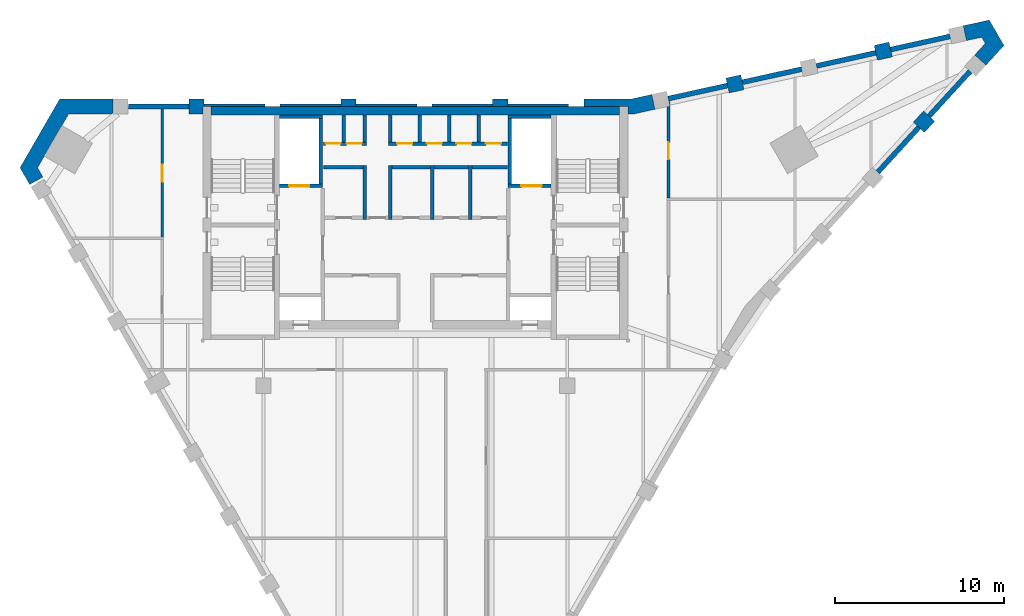
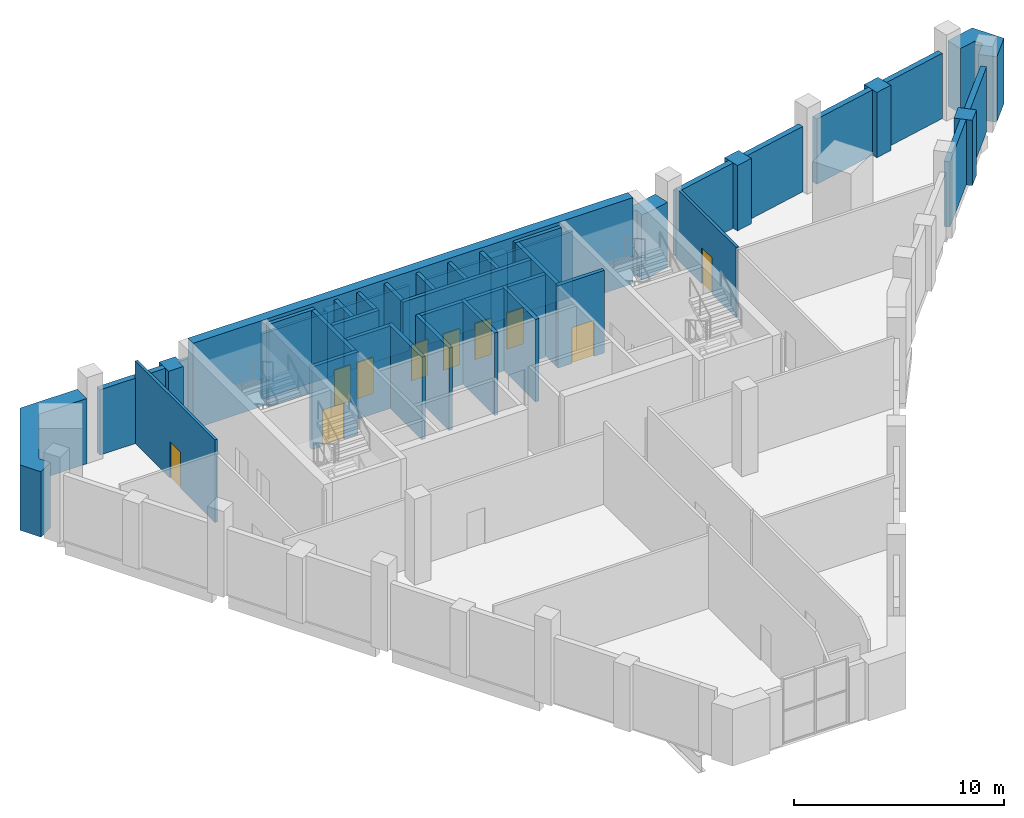
# One storey, part 6 of 9: 46 walls, 10 doors, 10 openings.
"""IFC4 building model written with IfcOpenShell, lengths in metres."""

from ifc_helpers import new_model, si_unit, direction, frame, frame_2d, origin, place, context, subcontext, project, spatial, polyline, rectangle, outline, extrude, material, layer, layer_set, type_object, element, fill, save


model = new_model("IFC4")

# Units and contexts
model_context = context("Model", 3, precision=1e-05, world=origin(), true_north=direction((0.0, 1.0)))
body_context = subcontext(model_context, "Body", "Model", "MODEL_VIEW")
ifc_project = project(units=[si_unit("LENGTHUNIT", "METRE"), si_unit("AREAUNIT", "SQUARE_METRE"), si_unit("VOLUMEUNIT", "CUBIC_METRE"), si_unit("PLANEANGLEUNIT", "RADIAN"), si_unit("MASSUNIT", "GRAM", prefix="KILO")], contexts=[model_context])

# Site, building, storey
site_placement = place(None, origin())
site = spatial("IfcSite", under=ifc_project, at=site_placement, CompositionType="ELEMENT")
building_placement = place(site_placement, origin())
building = spatial("IfcBuilding", under=site, at=building_placement, Name="Calabash Gate Tower", CompositionType="ELEMENT")
storey_placement = place(building_placement, frame((0.0, 0.0, 315.5)))
storey = spatial("IfcBuildingStorey", under=building, at=storey_placement, Name="L74", CompositionType="ELEMENT", Elevation=315.5)

# Walls
ifc_material_1 = material(Name="Terracotta brick masonry, exposed face", Category="masonry")
ifc_layer_1 = layer(ifc_material_1, 0.89990234375)
ifc_layer_set_1 = layer_set([ifc_layer_1], Name="Brick end wall 900")
wall_type_1 = type_object("IfcWallType", Name="Brick end wall 900", PredefinedType="SOLIDWALL", material=ifc_layer_set_1)
wall_1_placement = place(storey_placement, frame((30.44482421875, 18.47900390625, 0.0), z_axis=(0.0, 0.0, 1.0), x_axis=(-0.674938051731, -0.737874397391, 0.0)))
element("IfcWall", 1, at=wall_1_placement, inside=storey, type_object=wall_type_1, Name="Brick pier L74 crown3.3", PredefinedType="SOLIDWALL", context=body_context, shape_type="SweptSolid", body=[
    extrude(rectangle(XDim=0.89990234375, YDim=0.89990234375, at=frame_2d((0.449951171875, 0.0))), origin(), (0.0, 0.0, 1.0), 3.800048828125),
])
for number, where, z_axis, x_axis, name in (
    (2, (28.16650390625, 22.42529296875, 0.0), (0.0, 0.0, 1.0), (-0.976473402733, -0.215637876437, 0.0), "Brick pier L74 crown5.1"),
    (3, (18.4990234375, 20.2919921875, 0.0), (0.0, 0.0, 1.0), (0.976473402733, 0.215637876437, 0.0), "Brick pier L74 crown5.3"),
):
    element("IfcWall", number, at=place(storey_placement, frame(where, z_axis=z_axis, x_axis=x_axis)), inside=storey, type_object=wall_type_1, Name=name, PredefinedType="SOLIDWALL", context=body_context, shape_type="SweptSolid", body=[
        extrude(rectangle(XDim=0.900146484375, YDim=0.89990234375, at=frame_2d((0.4501953125, 0.0))), origin(), (0.0, 0.0, 1.0), 3.800048828125),
    ])
wall_2_placement = place(storey_placement, origin())
element("IfcWall", 4, at=wall_2_placement, inside=storey, type_object=wall_type_1, Name="Brick pier L74 crown6.1", PredefinedType="SOLIDWALL", context=body_context, shape_type="SweptSolid", body=[
    extrude(outline(polyline([(4.584228515625, 19.50244140625), (4.584228515625, 19.052490234375), (5.484375, 19.052490234375), (5.484375, 19.50244140625), (4.584228515625, 19.50244140625)])), origin(), (0.0, 0.0, 1.0), 3.800048828125),
])
wall_3_placement = place(storey_placement, origin())
element("IfcWall", 5, at=wall_3_placement, inside=storey, type_object=wall_type_1, Name="Brick pier L74 crown6.3", PredefinedType="SOLIDWALL", context=body_context, shape_type="SweptSolid", body=[
    extrude(outline(polyline([(-4.415771484375, 19.50244140625), (-4.415771484375, 19.052490234375), (-3.515625, 19.052490234375), (-3.515625, 19.50244140625), (-4.415771484375, 19.50244140625)])), origin(), (0.0, 0.0, 1.0), 3.800048828125),
])
wall_4_placement = place(storey_placement, origin())
element("IfcWall", 6, at=wall_4_placement, inside=storey, type_object=wall_type_1, Name="Brick pier L74 crown6.5", PredefinedType="SOLIDWALL", context=body_context, shape_type="SweptSolid", body=[
    extrude(outline(polyline([(-13.415771484375, 19.50244140625), (-13.415771484375, 18.6025390625), (-12.60009765625, 18.6025390625), (-12.60009765625, 19.052490234375), (-12.515625, 19.052490234375), (-12.515625, 19.50244140625), (-13.415771484375, 19.50244140625)])), origin(), (0.0, 0.0, 1.0), 3.800048828125),
])
wall_5_placement = place(storey_placement, origin())
element("IfcWall", 7, at=wall_5_placement, inside=storey, type_object=wall_type_1, Name="Brick end wall L74 4", PredefinedType="SOLIDWALL", context=body_context, shape_type="SweptSolid", body=[
    extrude(outline(polyline([(33.813720703125, 21.496337890625), (34.881591796875, 22.663818359375), (34.0087890625, 24.175048828125), (32.4638671875, 23.834228515625), (32.65771484375, 22.955322265625), (33.55908203125, 23.154296875), (33.7724609375, 22.78466796875), (33.149658203125, 22.103759765625), (33.813720703125, 21.496337890625)])), origin(), (0.0, 0.0, 1.0), 3.800048828125),
])
wall_6_placement = place(storey_placement, origin())
element("IfcWall", 8, at=wall_6_placement, inside=storey, type_object=wall_type_1, Name="Brick end wall L74 5", PredefinedType="SOLIDWALL", context=body_context, shape_type="SweptSolid", body=[
    extrude(outline(polyline([(14.007568359375, 19.761474609375), (12.83251953125, 19.50244140625), (9.984375, 19.50244140625), (9.984375, 19.052490234375), (12.60009765625, 19.052490234375), (12.60009765625, 18.6025390625), (12.930419921875, 18.6025390625), (14.201416015625, 18.883056640625), (14.007568359375, 19.761474609375)])), origin(), (0.0, 0.0, 1.0), 3.800048828125),
])
wall_7_placement = place(storey_placement, origin())
element("IfcWall", 9, at=wall_7_placement, inside=storey, type_object=wall_type_1, Name="Brick end wall L74 6", PredefinedType="SOLIDWALL", context=body_context, shape_type="SweptSolid", body=[
    extrude(outline(polyline([(-17.915771484375, 18.6025390625), (-17.916015625, 19.50244140625), (-21.072509765625, 19.50244140625), (-23.430908203125, 15.41796875), (-22.855712890625, 14.421875), (-22.076171875, 14.871826171875), (-22.3916015625, 15.41796875), (-20.552978515625, 18.6025390625), (-17.915771484375, 18.6025390625)])), origin(), (0.0, 0.0, 1.0), 3.800048828125),
])
ifc_material_2 = material(Name="Gypsum board on steel studs, mineral wool", Category="steel")
ifc_layer_2 = layer(ifc_material_2, 0.199951171875)
ifc_layer_set_2 = layer_set([ifc_layer_2], Name="Core partition 200 gypsum board")
wall_type_2 = type_object("IfcWallType", Name="Core partition 200 gypsum board", PredefinedType="PARTITIONING", material=ifc_layer_set_2)
for number, where, z_axis, x_axis, name in (
    (10, (-3.0, 12.3525390625, 0.0), (0.0, 0.0, 1.0), (0.0, 1.0, 0.0), "Core partition"),
    (11, (-1.5, 12.3525390625, 0.0), (0.0, 0.0, 1.0), (0.0, 1.0, 0.0), "Core partition"),
    (12, (1.0, 12.3525390625, 0.0), (0.0, 0.0, 1.0), (0.0, 1.0, 0.0), "Core partition"),
    (13, (3.25, 12.3525390625, 0.0), (0.0, 0.0, 1.0), (0.0, 1.0, 0.0), "Core partition"),
):
    element("IfcWall", number, at=place(storey_placement, frame(where, z_axis=z_axis, x_axis=x_axis)), inside=storey, type_object=wall_type_2, Name=name, PredefinedType="PARTITIONING", context=body_context, shape_type="SweptSolid", body=[
        extrude(rectangle(XDim=3.199951171875, YDim=0.199951171875, at=frame_2d((1.60009765625, 0.0))), origin(), (0.0, 0.0, 1.0), 4.800048828125),
    ])
wall_8_placement = place(storey_placement, frame((-1.39990234375, 15.45263671875, 0.0), z_axis=(0.0, 0.0, 1.0), x_axis=(1.0, 0.0, 0.0)))
element("IfcWall", 14, at=wall_8_placement, inside=storey, type_object=wall_type_2, Name="Core partition", PredefinedType="PARTITIONING", context=body_context, shape_type="SweptSolid", body=[
    extrude(rectangle(XDim=2.2998046875, YDim=0.199951171875, at=frame_2d((1.14990234375, 0.0))), origin(), (0.0, 0.0, 1.0), 4.800048828125),
])
wall_9_placement = place(storey_placement, frame((1.10009765625, 15.45263671875, 0.0), z_axis=(0.0, 0.0, 1.0), x_axis=(1.0, 0.0, 0.0)))
element("IfcWall", 15, at=wall_9_placement, inside=storey, type_object=wall_type_2, Name="Core partition", PredefinedType="PARTITIONING", context=body_context, shape_type="SweptSolid", body=[
    extrude(rectangle(XDim=2.0498046875, YDim=0.199951171875, at=frame_2d((1.02490234375, 0.0))), origin(), (0.0, 0.0, 1.0), 4.800048828125),
])
for number, where, z_axis, x_axis, name in (
    (16, (-4.25, 16.95263671875, 0.0), (0.0, 0.0, 1.0), (0.0, 1.0, 0.0), "Core partition"),
    (17, (-3.0, 16.95263671875, 0.0), (0.0, 0.0, 1.0), (0.0, 1.0, 0.0), "Core partition"),
    (18, (-1.5, 16.95263671875, 0.0), (0.0, 0.0, 1.0), (0.0, 1.0, 0.0), "Core partition"),
    (19, (0.25, 16.95263671875, 0.0), (0.0, 0.0, 1.0), (0.0, 1.0, 0.0), "Core partition"),
    (20, (2.0, 16.95263671875, 0.0), (0.0, 0.0, 1.0), (0.0, 1.0, 0.0), "Core partition"),
    (21, (3.75, 16.95263671875, 0.0), (0.0, 0.0, 1.0), (0.0, 1.0, 0.0), "Core partition"),
):
    element("IfcWall", number, at=place(storey_placement, frame(where, z_axis=z_axis, x_axis=x_axis)), inside=storey, type_object=wall_type_2, Name=name, PredefinedType="PARTITIONING", context=body_context, shape_type="SweptSolid", body=[
        extrude(rectangle(XDim=1.599853515625, YDim=0.199951171875, at=frame_2d((0.7998046875, 0.0))), origin(), (0.0, 0.0, 1.0), 4.800048828125),
    ])
ifc_material_3 = material(Name="Concrete C60/75", Category="concrete")
ifc_layer_3 = layer(ifc_material_3, 0.5)
ifc_layer_set_3 = layer_set([ifc_layer_3], Name="Core wall 500 Concrete C60/75")
wall_type_3 = type_object("IfcWallType", Name="Core wall 500 Concrete C60/75", PredefinedType="SHEAR", material=ifc_layer_set_3)
wall_10_placement = place(storey_placement, frame((-12.10009765625, 18.802490234375, 0.0), z_axis=(0.0, 0.0, 1.0), x_axis=(1.0, 0.0, 0.0)))
element("IfcWall", 22, at=wall_10_placement, inside=storey, type_object=wall_type_3, Name="Core wall C-N L74", PredefinedType="SHEAR", context=body_context, shape_type="SweptSolid", body=[
    extrude(rectangle(XDim=24.2001953125, YDim=0.5, at=frame_2d((12.10009765625, 0.0))), origin(), (0.0, 0.0, 1.0), 5.0),
])

# Wall, opening, door
ifc_material_4 = material(Name="Gypsum board on steel studs, mineral wool", Category="steel")
ifc_layer_4 = layer(ifc_material_4, 0.14990234375)
ifc_layer_set_4 = layer_set([ifc_layer_4], Name="Partition 150 gypsum board")
wall_type_4 = type_object("IfcWallType", Name="Partition 150 gypsum board", PredefinedType="PARTITIONING", material=ifc_layer_set_4)
wall_11_placement = place(storey_placement, frame((-15.0, 11.32763671875, 0.0), z_axis=(0.0, 0.0, 1.0), x_axis=(0.0, 1.0, 0.0)))
wall_11 = element("IfcWall", 23, at=wall_11_placement, inside=storey, type_object=wall_type_4, Name="Partition", PredefinedType="PARTITIONING", context=body_context, shape_type="SweptSolid", body=[
    extrude(rectangle(XDim=7.594970703125, YDim=0.14990234375, at=frame_2d((3.79736328125, 0.0))), origin(), (0.0, 0.0, 1.0), 4.800048828125),
])
opening_1_placement = place(wall_11_placement, frame((3.27490234375, 0.0, 0.0)))
opening_1 = element("IfcOpeningElement", 24, at=opening_1_placement, cuts=wall_11, Name="Opening L74-026", PredefinedType="OPENING", context=body_context, shape_type="SweptSolid", body=[
    extrude(rectangle(XDim=1.0, YDim=2.10009765625, at=frame_2d((0.5, 1.050048828125))), frame((0.0, 0.0849609375, 0.0), z_axis=(0.0, -1.0, 0.0), x_axis=(1.0, 0.0, 0.0)), (0.0, 0.0, 1.0), 0.169921875),
])
ifc_material_5 = material(Name="Steel fire door set with fire-resisting glazing", Category="steel")
door_type_1 = type_object("IfcDoorType", Name="Fire door D11 1000x2100 FD60", OperationType="NOTDEFINED", PredefinedType="DOOR", material=ifc_material_5)
door_1_placement = place(opening_1_placement, origin())
door_1 = element("IfcDoor", 25, at=door_1_placement, inside=storey, type_object=door_type_1, Name="Cooling Tower Plant Room door", OperationType="SINGLE_SWING_LEFT", OverallHeight=2.10009765625, OverallWidth=1.0, PredefinedType="DOOR", context=body_context, shape_type="SweptSolid", body=[
    extrude(rectangle(XDim=1.0, YDim=2.10009765625, at=frame_2d((0.5, 1.050048828125))), frame((0.0, 0.02490234375, 0.0), z_axis=(0.0, -1.0, 0.0), x_axis=(1.0, 0.0, 0.0)), (0.0, 0.0, 1.0), 0.050048828125),
])
fill(opening_1, door_1)

wall_12_placement = place(storey_placement, frame((15.0, 13.633544921875, 0.0), z_axis=(0.0, 0.0, 1.0), x_axis=(0.0, 1.0, 0.0)))
wall_12 = element("IfcWall", 26, at=wall_12_placement, inside=storey, type_object=wall_type_4, Name="Partition", PredefinedType="PARTITIONING", context=body_context, shape_type="SweptSolid", body=[
    extrude(rectangle(XDim=5.724365234375, YDim=0.14990234375, at=frame_2d((2.8623046875, 0.0))), origin(), (0.0, 0.0, 1.0), 4.10009765625),
])
opening_2_placement = place(wall_12_placement, frame((2.286376953125, 0.0, 0.0)))
opening_2 = element("IfcOpeningElement", 27, at=opening_2_placement, cuts=wall_12, Name="Opening L74-028", PredefinedType="OPENING", context=body_context, shape_type="SweptSolid", body=[
    extrude(rectangle(XDim=1.0, YDim=2.10009765625, at=frame_2d((0.5, 1.050048828125))), frame((0.0, 0.0849609375, 0.0), z_axis=(0.0, -1.0, 0.0), x_axis=(1.0, 0.0, 0.0)), (0.0, 0.0, 1.0), 0.169921875),
])
door_2_placement = place(opening_2_placement, origin())
door_2 = element("IfcDoor", 28, at=door_2_placement, inside=storey, type_object=door_type_1, Name="Smoke Extract Plant Room door", OperationType="SINGLE_SWING_LEFT", OverallHeight=2.10009765625, OverallWidth=1.0, PredefinedType="DOOR", context=body_context, shape_type="SweptSolid", body=[
    extrude(rectangle(XDim=1.0, YDim=2.10009765625, at=frame_2d((0.5, 1.050048828125))), frame((0.0, 0.02490234375, 0.0), z_axis=(0.0, -1.0, 0.0), x_axis=(1.0, 0.0, 0.0)), (0.0, 0.0, 1.0), 0.050048828125),
])
fill(opening_2, door_2)

ifc_material_6 = material(Name="Concrete C40/50", Category="concrete")
ifc_layer_5 = layer(ifc_material_6, 0.199951171875)
ifc_layer_set_5 = layer_set([ifc_layer_5], Name="Shaft wall 200 Concrete C40/50")
wall_type_5 = type_object("IfcWallType", Name="Shaft wall 200 Concrete C40/50", PredefinedType="SOLIDWALL", material=ifc_layer_set_5)
wall_13_placement = place(storey_placement, frame((-8.050048828125, 14.3525390625, 0.0), z_axis=(0.0, 0.0, 1.0), x_axis=(1.0, 0.0, 0.0)))
wall_13 = element("IfcWall", 29, at=wall_13_placement, inside=storey, type_object=wall_type_5, Name="Shaft wall", PredefinedType="SOLIDWALL", context=body_context, shape_type="SweptSolid", body=[
    extrude(rectangle(XDim=2.550048828125, YDim=0.199951171875, at=frame_2d((1.27490234375, 0.0))), origin(), (0.0, 0.0, 1.0), 4.800048828125),
])
opening_3_placement = place(wall_13_placement, frame((0.574951171875, 0.0, 0.0)))
opening_3 = element("IfcOpeningElement", 30, at=opening_3_placement, cuts=wall_13, Name="Opening LD-FF1", PredefinedType="OPENING", context=body_context, shape_type="SweptSolid", body=[
    extrude(rectangle(XDim=1.199951171875, YDim=2.10009765625, at=frame_2d((0.60009765625, 1.050048828125))), frame((0.0, 0.10986328125, 0.0), z_axis=(0.0, -1.0, 0.0), x_axis=(1.0, 0.0, 0.0)), (0.0, 0.0, 1.0), 0.219970703125),
])
ifc_material_7 = material(Name="Stainless steel sliding door leaves", Category="steel")
door_type_2 = type_object("IfcDoorType", Name="Lift landing door LS3 1200x2100 FD90", OperationType="DOUBLE_DOOR_SLIDING", PredefinedType="DOOR", material=ifc_material_7)
door_3_placement = place(opening_3_placement, origin())
door_3 = element("IfcDoor", 31, at=door_3_placement, inside=storey, type_object=door_type_2, Name="Lift landing door FF1", OperationType="DOUBLE_DOOR_SLIDING", OverallHeight=2.10009765625, OverallWidth=1.199951171875, PredefinedType="DOOR", context=body_context, shape_type="SweptSolid", body=[
    extrude(rectangle(XDim=1.199951171875, YDim=2.10009765625, at=frame_2d((0.60009765625, 1.050048828125))), frame((0.0, 0.02490234375, 0.0), z_axis=(0.0, -1.0, 0.0), x_axis=(1.0, 0.0, 0.0)), (0.0, 0.0, 1.0), 0.050048828125),
])
fill(opening_3, door_3)

wall_14_placement = place(storey_placement, frame((5.5, 14.3525390625, 0.0), z_axis=(0.0, 0.0, 1.0), x_axis=(1.0, 0.0, 0.0)))
wall_14 = element("IfcWall", 32, at=wall_14_placement, inside=storey, type_object=wall_type_5, Name="Shaft wall", PredefinedType="SOLIDWALL", context=body_context, shape_type="SweptSolid", body=[
    extrude(rectangle(XDim=2.550048828125, YDim=0.199951171875, at=frame_2d((1.27490234375, 0.0))), origin(), (0.0, 0.0, 1.0), 4.800048828125),
])
opening_4_placement = place(wall_14_placement, frame((0.77490234375, 0.0, 0.0)))
opening_4 = element("IfcOpeningElement", 33, at=opening_4_placement, cuts=wall_14, Name="Opening LD-FF2", PredefinedType="OPENING", context=body_context, shape_type="SweptSolid", body=[
    extrude(rectangle(XDim=1.199951171875, YDim=2.10009765625, at=frame_2d((0.60009765625, 1.050048828125))), frame((0.0, 0.10986328125, 0.0), z_axis=(0.0, -1.0, 0.0), x_axis=(1.0, 0.0, 0.0)), (0.0, 0.0, 1.0), 0.219970703125),
])
door_4_placement = place(opening_4_placement, origin())
door_4 = element("IfcDoor", 34, at=door_4_placement, inside=storey, type_object=door_type_2, Name="Lift landing door FF2", OperationType="DOUBLE_DOOR_SLIDING", OverallHeight=2.10009765625, OverallWidth=1.199951171875, PredefinedType="DOOR", context=body_context, shape_type="SweptSolid", body=[
    extrude(rectangle(XDim=1.199951171875, YDim=2.10009765625, at=frame_2d((0.60009765625, 1.050048828125))), frame((0.0, 0.02490234375, 0.0), z_axis=(0.0, -1.0, 0.0), x_axis=(1.0, 0.0, 0.0)), (0.0, 0.0, 1.0), 0.050048828125),
])
fill(opening_4, door_4)

# Walls
for number, where, z_axis, x_axis, name in (
    (35, (-5.60009765625, 14.45263671875, 0.0), (0.0, 0.0, 1.0), (0.0, 1.0, 0.0), "Shaft wall"),
    (36, (5.60009765625, 14.45263671875, 0.0), (0.0, 0.0, 1.0), (0.0, 1.0, 0.0), "Shaft wall"),
):
    element("IfcWall", number, at=place(storey_placement, frame(where, z_axis=z_axis, x_axis=x_axis)), inside=storey, type_object=wall_type_5, Name=name, PredefinedType="SOLIDWALL", context=body_context, shape_type="SweptSolid", body=[
        extrude(rectangle(XDim=3.89990234375, YDim=0.199951171875, at=frame_2d((1.949951171875, 0.0))), origin(), (0.0, 0.0, 1.0), 4.800048828125),
    ])
wall_15_placement = place(storey_placement, frame((-5.449951171875, 15.45263671875, 0.0), z_axis=(0.0, 0.0, 1.0), x_axis=(1.0, 0.0, 0.0)))
element("IfcWall", 37, at=wall_15_placement, inside=storey, type_object=wall_type_5, Name="Shaft wall", PredefinedType="SOLIDWALL", context=body_context, shape_type="SweptSolid", body=[
    extrude(rectangle(XDim=2.349853515625, YDim=0.199951171875, at=frame_2d((1.1748046875, 0.0))), origin(), (0.0, 0.0, 1.0), 4.800048828125),
])
wall_16_placement = place(storey_placement, frame((3.35009765625, 15.45263671875, 0.0), z_axis=(0.0, 0.0, 1.0), x_axis=(1.0, 0.0, 0.0)))
element("IfcWall", 38, at=wall_16_placement, inside=storey, type_object=wall_type_5, Name="Shaft wall", PredefinedType="SOLIDWALL", context=body_context, shape_type="SweptSolid", body=[
    extrude(rectangle(XDim=2.099853515625, YDim=0.199951171875, at=frame_2d((1.0498046875, 0.0))), origin(), (0.0, 0.0, 1.0), 4.800048828125),
])

# Wall, openings, doors
wall_17_placement = place(storey_placement, frame((-5.449951171875, 16.8525390625, 0.0), z_axis=(0.0, 0.0, 1.0), x_axis=(1.0, 0.0, 0.0)))
wall_17 = element("IfcWall", 39, at=wall_17_placement, inside=storey, type_object=wall_type_5, Name="Shaft wall", PredefinedType="SOLIDWALL", context=body_context, shape_type="SweptSolid", body=[
    extrude(rectangle(XDim=2.550048828125, YDim=0.199951171875, at=frame_2d((1.27490234375, 0.0))), origin(), (0.0, 0.0, 1.0), 4.800048828125),
])
opening_5_placement = place(wall_17_placement, frame((0.125, 0.0, 0.0)))
opening_5 = element("IfcOpeningElement", 40, at=opening_5_placement, cuts=wall_17, Name="Opening L74-012", PredefinedType="OPENING", context=body_context, shape_type="SweptSolid", body=[
    extrude(rectangle(XDim=0.89990234375, YDim=2.10009765625, at=frame_2d((0.449951171875, 1.050048828125))), frame((0.0, 0.10986328125, 0.0), z_axis=(0.0, -1.0, 0.0), x_axis=(1.0, 0.0, 0.0)), (0.0, 0.0, 1.0), 0.219970703125),
])
opening_6_placement = place(wall_17_placement, frame((1.375, 0.0, 0.0)))
opening_6 = element("IfcOpeningElement", 41, at=opening_6_placement, cuts=wall_17, Name="Opening L74-013", PredefinedType="OPENING", context=body_context, shape_type="SweptSolid", body=[
    extrude(rectangle(XDim=0.89990234375, YDim=2.10009765625, at=frame_2d((0.449951171875, 1.050048828125))), frame((0.0, 0.10986328125, 0.0), z_axis=(0.0, -1.0, 0.0), x_axis=(1.0, 0.0, 0.0)), (0.0, 0.0, 1.0), 0.219970703125),
])
ifc_material_8 = material(Name="Steel fire door set with fire-resisting glazing", Category="steel")
door_type_3 = type_object("IfcDoorType", Name="Fire door D06 900x2100 FD60", OperationType="NOTDEFINED", PredefinedType="DOOR", material=ifc_material_8)
door_5_placement = place(opening_5_placement, origin())
door_5 = element("IfcDoor", 42, at=door_5_placement, inside=storey, type_object=door_type_3, Name="Water Tank Room door", OperationType="SINGLE_SWING_LEFT", OverallHeight=2.10009765625, OverallWidth=0.89990234375, PredefinedType="DOOR", context=body_context, shape_type="SweptSolid", body=[
    extrude(rectangle(XDim=0.89990234375, YDim=2.10009765625, at=frame_2d((0.449951171875, 1.050048828125))), frame((0.0, 0.02490234375, 0.0), z_axis=(0.0, -1.0, 0.0), x_axis=(1.0, 0.0, 0.0)), (0.0, 0.0, 1.0), 0.050048828125),
])
fill(opening_5, door_5)
door_6_placement = place(opening_6_placement, origin())
door_6 = element("IfcDoor", 43, at=door_6_placement, inside=storey, type_object=door_type_3, Name="Electrical Switch Room door", OperationType="SINGLE_SWING_LEFT", OverallHeight=2.10009765625, OverallWidth=0.89990234375, PredefinedType="DOOR", context=body_context, shape_type="SweptSolid", body=[
    extrude(rectangle(XDim=0.89990234375, YDim=2.10009765625, at=frame_2d((0.449951171875, 1.050048828125))), frame((0.0, 0.02490234375, 0.0), z_axis=(0.0, -1.0, 0.0), x_axis=(1.0, 0.0, 0.0)), (0.0, 0.0, 1.0), 0.050048828125),
])
fill(opening_6, door_6)

wall_18_placement = place(storey_placement, frame((-1.60009765625, 16.8525390625, 0.0), z_axis=(0.0, 0.0, 1.0), x_axis=(1.0, 0.0, 0.0)))
wall_18 = element("IfcWall", 44, at=wall_18_placement, inside=storey, type_object=wall_type_5, Name="Shaft wall", PredefinedType="SOLIDWALL", context=body_context, shape_type="SweptSolid", body=[
    extrude(rectangle(XDim=7.050048828125, YDim=0.199951171875, at=frame_2d((3.52490234375, 0.0))), origin(), (0.0, 0.0, 1.0), 4.800048828125),
])
opening_7_placement = place(wall_18_placement, frame((0.52490234375, 0.0, 0.0)))
opening_7 = element("IfcOpeningElement", 45, at=opening_7_placement, cuts=wall_18, Name="Opening L74-014", PredefinedType="OPENING", context=body_context, shape_type="SweptSolid", body=[
    extrude(rectangle(XDim=0.89990234375, YDim=2.10009765625, at=frame_2d((0.449951171875, 1.050048828125))), frame((0.0, 0.10986328125, 0.0), z_axis=(0.0, -1.0, 0.0), x_axis=(1.0, 0.0, 0.0)), (0.0, 0.0, 1.0), 0.219970703125),
])
opening_8_placement = place(wall_18_placement, frame((2.27490234375, 0.0, 0.0)))
opening_8 = element("IfcOpeningElement", 46, at=opening_8_placement, cuts=wall_18, Name="Opening L74-015", PredefinedType="OPENING", context=body_context, shape_type="SweptSolid", body=[
    extrude(rectangle(XDim=0.89990234375, YDim=2.10009765625, at=frame_2d((0.449951171875, 1.050048828125))), frame((0.0, 0.10986328125, 0.0), z_axis=(0.0, -1.0, 0.0), x_axis=(1.0, 0.0, 0.0)), (0.0, 0.0, 1.0), 0.219970703125),
])
opening_9_placement = place(wall_18_placement, frame((4.02490234375, 0.0, 0.0)))
opening_9 = element("IfcOpeningElement", 47, at=opening_9_placement, cuts=wall_18, Name="Opening L74-016", PredefinedType="OPENING", context=body_context, shape_type="SweptSolid", body=[
    extrude(rectangle(XDim=0.89990234375, YDim=2.10009765625, at=frame_2d((0.449951171875, 1.050048828125))), frame((0.0, 0.10986328125, 0.0), z_axis=(0.0, -1.0, 0.0), x_axis=(1.0, 0.0, 0.0)), (0.0, 0.0, 1.0), 0.219970703125),
])
opening_10_placement = place(wall_18_placement, frame((5.77490234375, 0.0, 0.0)))
opening_10 = element("IfcOpeningElement", 48, at=opening_10_placement, cuts=wall_18, Name="Opening L74-017", PredefinedType="OPENING", context=body_context, shape_type="SweptSolid", body=[
    extrude(rectangle(XDim=0.89990234375, YDim=2.10009765625, at=frame_2d((0.449951171875, 1.050048828125))), frame((0.0, 0.10986328125, 0.0), z_axis=(0.0, -1.0, 0.0), x_axis=(1.0, 0.0, 0.0)), (0.0, 0.0, 1.0), 0.219970703125),
])
door_7_placement = place(opening_7_placement, origin())
door_7 = element("IfcDoor", 49, at=door_7_placement, inside=storey, type_object=door_type_3, Name="HV Transformer Room door", OperationType="SINGLE_SWING_LEFT", OverallHeight=2.10009765625, OverallWidth=0.89990234375, PredefinedType="DOOR", context=body_context, shape_type="SweptSolid", body=[
    extrude(rectangle(XDim=0.89990234375, YDim=2.10009765625, at=frame_2d((0.449951171875, 1.050048828125))), frame((0.0, 0.02490234375, 0.0), z_axis=(0.0, -1.0, 0.0), x_axis=(1.0, 0.0, 0.0)), (0.0, 0.0, 1.0), 0.050048828125),
])
fill(opening_7, door_7)
door_8_placement = place(opening_8_placement, origin())
door_8 = element("IfcDoor", 50, at=door_8_placement, inside=storey, type_object=door_type_3, Name="Chilled Water Plant door", OperationType="SINGLE_SWING_LEFT", OverallHeight=2.10009765625, OverallWidth=0.89990234375, PredefinedType="DOOR", context=body_context, shape_type="SweptSolid", body=[
    extrude(rectangle(XDim=0.89990234375, YDim=2.10009765625, at=frame_2d((0.449951171875, 1.050048828125))), frame((0.0, 0.02490234375, 0.0), z_axis=(0.0, -1.0, 0.0), x_axis=(1.0, 0.0, 0.0)), (0.0, 0.0, 1.0), 0.050048828125),
])
fill(opening_8, door_8)
door_9_placement = place(opening_9_placement, origin())
door_9 = element("IfcDoor", 51, at=door_9_placement, inside=storey, type_object=door_type_3, Name="Mechanical Pump Room door", OperationType="SINGLE_SWING_RIGHT", OverallHeight=2.10009765625, OverallWidth=0.89990234375, PredefinedType="DOOR", context=body_context, shape_type="SweptSolid", body=[
    extrude(rectangle(XDim=0.89990234375, YDim=2.10009765625, at=frame_2d((0.449951171875, 1.050048828125))), frame((0.0, 0.02490234375, 0.0), z_axis=(0.0, -1.0, 0.0), x_axis=(1.0, 0.0, 0.0)), (0.0, 0.0, 1.0), 0.050048828125),
])
fill(opening_9, door_9)
door_10_placement = place(opening_10_placement, origin())
door_10 = element("IfcDoor", 52, at=door_10_placement, inside=storey, type_object=door_type_3, Name="Heat Exchanger Plant Room door", OperationType="SINGLE_SWING_RIGHT", OverallHeight=2.10009765625, OverallWidth=0.89990234375, PredefinedType="DOOR", context=body_context, shape_type="SweptSolid", body=[
    extrude(rectangle(XDim=0.89990234375, YDim=2.10009765625, at=frame_2d((0.449951171875, 1.050048828125))), frame((0.0, 0.02490234375, 0.0), z_axis=(0.0, -1.0, 0.0), x_axis=(1.0, 0.0, 0.0)), (0.0, 0.0, 1.0), 0.050048828125),
])
fill(opening_10, door_10)

# Walls
for number, where, z_axis, x_axis, name in (
    (53, (-8.050048828125, 18.45263671875, 0.0), (0.0, 0.0, 1.0), (1.0, 0.0, 0.0), "Shaft wall"),
    (54, (5.5, 18.45263671875, 0.0), (0.0, 0.0, 1.0), (1.0, 0.0, 0.0), "Shaft wall"),
):
    element("IfcWall", number, at=place(storey_placement, frame(where, z_axis=z_axis, x_axis=x_axis)), inside=storey, type_object=wall_type_5, Name=name, PredefinedType="SOLIDWALL", context=body_context, shape_type="SweptSolid", body=[
        extrude(rectangle(XDim=2.550048828125, YDim=0.199951171875, at=frame_2d((1.27490234375, 0.0))), origin(), (0.0, 0.0, 1.0), 4.800048828125),
    ])
ifc_material_9 = material(Name="Terracotta louvre blades in an aluminium frame", Category="masonry")
ifc_layer_6 = layer(ifc_material_9, 0.300048828125)
ifc_layer_set_6 = layer_set([ifc_layer_6], Name="Terracotta louvre wall 300")
wall_type_6 = type_object("IfcWallType", Name="Terracotta louvre wall 300", PredefinedType="ELEMENTEDWALL", material=ifc_layer_set_6)
for number, where, z_axis, x_axis, name in (
    (55, (27.407958984375, 15.158203125, 0.0), (0.0, 0.0, 1.0), (0.674833575111, 0.737969949187, 0.0), "LOUVRE L74 crown3.3"),
    (56, (30.44482421875, 18.47900390625, 0.0), (0.0, 0.0, 1.0), (0.674833575111, 0.737969949187, 0.0), "LOUVRE L74 crown3.4"),
):
    element("IfcWall", number, at=place(storey_placement, frame(where, z_axis=z_axis, x_axis=x_axis)), inside=storey, type_object=wall_type_6, Name=name, PredefinedType="ELEMENTEDWALL", context=body_context, shape_type="SweptSolid", body=[
        extrude(rectangle(XDim=3.60009765625, YDim=0.300048828125, at=frame_2d((1.800048828125, 0.0))), origin(), (0.0, 0.0, 1.0), 3.800048828125),
    ])
wall_19_placement = place(storey_placement, frame((31.681884765625, 23.200927734375, 0.0), z_axis=(0.0, 0.0, 1.0), x_axis=(-0.976513072969, -0.215458159096, 0.0)))
element("IfcWall", 57, at=wall_19_placement, inside=storey, type_object=wall_type_6, Name="LOUVRE L74 crown5.1", PredefinedType="ELEMENTEDWALL", context=body_context, shape_type="SweptSolid", body=[
    extrude(rectangle(XDim=3.599853515625, YDim=0.300048828125, at=frame_2d((1.7998046875, 0.0))), origin(), (0.0, 0.0, 1.0), 3.800048828125),
])
wall_20_placement = place(storey_placement, origin())
element("IfcWall", 58, at=wall_20_placement, inside=storey, type_object=wall_type_6, Name="LOUVRE L74 crown5.2", PredefinedType="ELEMENTEDWALL", context=body_context, shape_type="SweptSolid", body=[
    extrude(outline(polyline([(27.25537109375, 22.377685546875), (23.740234375, 21.60205078125), (23.804931640625, 21.30908203125), (27.31982421875, 22.084716796875), (27.25537109375, 22.377685546875)])), origin(), (0.0, 0.0, 1.0), 3.800048828125),
])
for number, where, z_axis, x_axis, name in (
    (59, (22.893310546875, 21.26171875, 0.0), (0.0, 0.0, 1.0), (-0.976513072969, -0.215458159096, 0.0), "LOUVRE L74 crown5.3"),
    (60, (18.4990234375, 20.2919921875, 0.0), (0.0, 0.0, 1.0), (-0.976513072969, -0.215458159096, 0.0), "LOUVRE L74 crown5.4"),
):
    element("IfcWall", number, at=place(storey_placement, frame(where, z_axis=z_axis, x_axis=x_axis)), inside=storey, type_object=wall_type_6, Name=name, PredefinedType="ELEMENTEDWALL", context=body_context, shape_type="SweptSolid", body=[
        extrude(rectangle(XDim=3.599853515625, YDim=0.300048828125, at=frame_2d((1.7998046875, 0.0))), origin(), (0.0, 0.0, 1.0), 3.800048828125),
    ])
wall_21_placement = place(storey_placement, origin())
element("IfcWall", 61, at=wall_21_placement, inside=storey, type_object=wall_type_6, Name="LOUVRE L74 crown6.1", PredefinedType="ELEMENTEDWALL", context=body_context, shape_type="SweptSolid", body=[
    extrude(outline(polyline([(9.084228515625, 19.20263671875), (5.484375, 19.20263671875), (5.484375, 19.052490234375), (9.084228515625, 19.052490234375), (9.084228515625, 19.20263671875)])), origin(), (0.0, 0.0, 1.0), 3.800048828125),
])
wall_22_placement = place(storey_placement, origin())
element("IfcWall", 62, at=wall_22_placement, inside=storey, type_object=wall_type_6, Name="LOUVRE L74 crown6.2", PredefinedType="ELEMENTEDWALL", context=body_context, shape_type="SweptSolid", body=[
    extrude(outline(polyline([(4.584228515625, 19.20263671875), (0.984375, 19.20263671875), (0.984375, 19.052490234375), (4.584228515625, 19.052490234375), (4.584228515625, 19.20263671875)])), origin(), (0.0, 0.0, 1.0), 3.800048828125),
])
wall_23_placement = place(storey_placement, origin())
element("IfcWall", 63, at=wall_23_placement, inside=storey, type_object=wall_type_6, Name="LOUVRE L74 crown6.3", PredefinedType="ELEMENTEDWALL", context=body_context, shape_type="SweptSolid", body=[
    extrude(outline(polyline([(0.084228515625, 19.20263671875), (-3.515625, 19.20263671875), (-3.515625, 19.052490234375), (0.084228515625, 19.052490234375), (0.084228515625, 19.20263671875)])), origin(), (0.0, 0.0, 1.0), 3.800048828125),
])
wall_24_placement = place(storey_placement, origin())
element("IfcWall", 64, at=wall_24_placement, inside=storey, type_object=wall_type_6, Name="LOUVRE L74 crown6.4", PredefinedType="ELEMENTEDWALL", context=body_context, shape_type="SweptSolid", body=[
    extrude(outline(polyline([(-4.415771484375, 19.20263671875), (-8.015625, 19.20263671875), (-8.015625, 19.052490234375), (-4.415771484375, 19.052490234375), (-4.415771484375, 19.20263671875)])), origin(), (0.0, 0.0, 1.0), 3.800048828125),
])
wall_25_placement = place(storey_placement, origin())
element("IfcWall", 65, at=wall_25_placement, inside=storey, type_object=wall_type_6, Name="LOUVRE L74 crown6.5", PredefinedType="ELEMENTEDWALL", context=body_context, shape_type="SweptSolid", body=[
    extrude(outline(polyline([(-8.915771484375, 19.20263671875), (-12.515625, 19.20263671875), (-12.515625, 19.052490234375), (-8.915771484375, 19.052490234375), (-8.915771484375, 19.20263671875)])), origin(), (0.0, 0.0, 1.0), 3.800048828125),
])
wall_26_placement = place(storey_placement, frame((-13.415771484375, 19.052490234375, 0.0), z_axis=(0.0, 0.0, 1.0), x_axis=(-1.0, 0.0, 0.0)))
element("IfcWall", 66, at=wall_26_placement, inside=storey, type_object=wall_type_6, Name="LOUVRE L74 crown6.6", PredefinedType="ELEMENTEDWALL", context=body_context, shape_type="SweptSolid", body=[
    extrude(rectangle(XDim=3.599853515625, YDim=0.300048828125, at=frame_2d((1.7998046875, 0.0))), origin(), (0.0, 0.0, 1.0), 3.800048828125),
])

save(model, "model.ifc")
